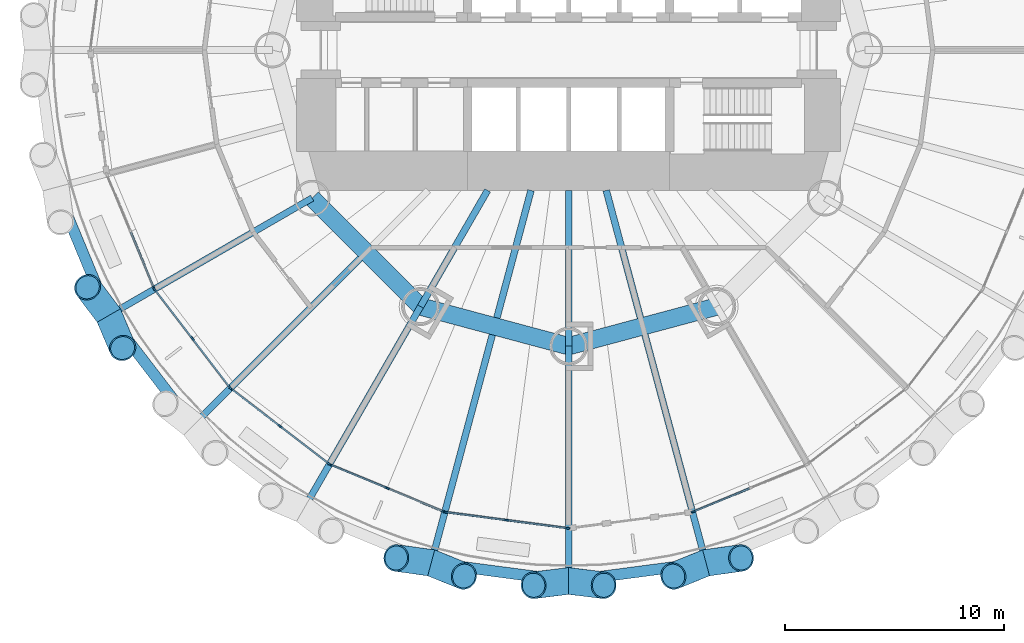
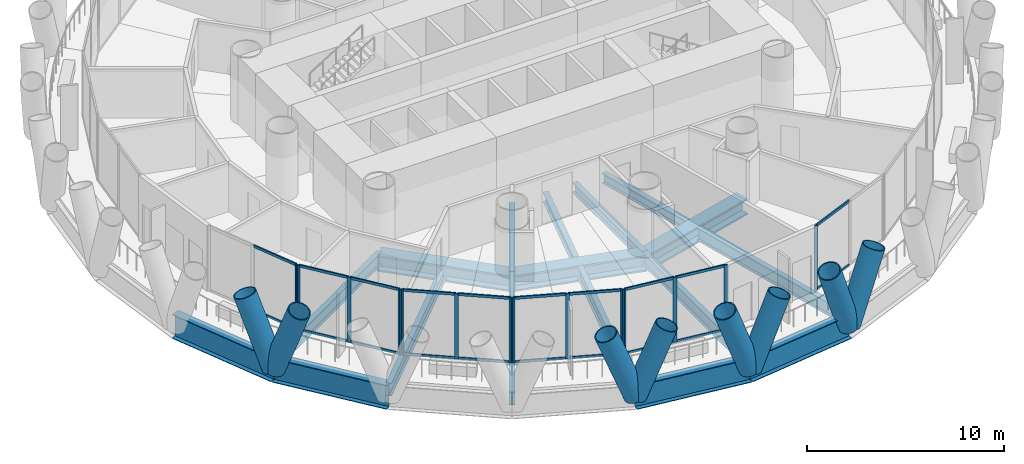
# One storey, part 2 of 16: 42 members, 17 beams, 6 elements without a shape of their own.
"""IFC4 building model written with IfcOpenShell, lengths in metres."""

import ifcopenshell
import ifcopenshell.guid

model = None  # the IFC model being written
_history = None  # IfcOwnerHistory: only IFC2X3 demands one
_inside = {}  # id of a spatial element -> (the spatial element, [elements in it])
_under = {}  # id of a project, library or spatial element -> (it, [spatial elements below it])
_declared = {}  # id of a project -> (the project, [libraries it declares])
_typed = {}  # id of a type object -> (the type object, [elements of that type])
_made_of = {}  # id of a material, layer set ... -> (it, [elements and type objects made of it])


def new_model(schema):
    """Start an empty IFC model of exactly this schema.

    Asked for "IFC4X3", IfcOpenShell would pick the latest addendum, in which some entities
    have other attributes; the version numbers below select the first issue.
    IFC2X3 requires an IfcOwnerHistory on every rooted entity: one is made here for all.
    """
    global model, _history
    if schema == "IFC4X3":
        model = ifcopenshell.file(schema_version=(4, 3, 0, 0))
    else:
        model = ifcopenshell.file(schema=schema)
    _inside.clear()
    _under.clear()
    _declared.clear()
    _typed.clear()
    _made_of.clear()
    _history = None
    if model.schema == "IFC2X3":
        org = make("IfcOrganization", Name="unknown")
        user = make(
            "IfcPersonAndOrganization",
            ThePerson=make("IfcPerson", FamilyName="unknown"),
            TheOrganization=org,
        )
        app = make(
            "IfcApplication",
            ApplicationDeveloper=org,
            Version="unknown",
            ApplicationFullName="unknown",
            ApplicationIdentifier="unknown",
        )
        _history = make(
            "IfcOwnerHistory",
            OwningUser=user,
            OwningApplication=app,
            ChangeAction="ADDED",
            CreationDate=0,
        )
    return model


def make(cls, **values):
    """One entity of the class cls with the attributes given. An attribute that is None is left unset."""
    return model.create_entity(
        cls, **{name: value for name, value in values.items() if value is not None}
    )


def rooted(cls, **values):
    """An entity with a GlobalId (a new one), such as an element, a storey or a relation."""
    return make(cls, GlobalId=ifcopenshell.guid.new(), OwnerHistory=_history, **values)


def si_unit(unit_type, name, prefix=None):
    """IfcSIUnit, for example si_unit("LENGTHUNIT", "METRE", prefix="MILLI")."""
    return make("IfcSIUnit", UnitType=unit_type, Prefix=prefix, Name=name)


def assignment(units):
    """IfcUnitAssignment: the units of a project."""
    return None if units is None else make("IfcUnitAssignment", Units=units)


def point(xyz):
    """IfcCartesianPoint."""
    return None if xyz is None else make("IfcCartesianPoint", Coordinates=xyz)


def direction(xyz):
    """IfcDirection."""
    return None if xyz is None else make("IfcDirection", DirectionRatios=xyz)


def frame(location, z_axis=None, x_axis=None):
    """IfcAxis2Placement3D, a coordinate frame: its origin and axes. An axis left out is left unset."""
    return make(
        "IfcAxis2Placement3D",
        Location=point(location),
        Axis=direction(z_axis),
        RefDirection=direction(x_axis),
    )


def frame_2d(location, x_axis=None):
    """IfcAxis2Placement2D, a coordinate frame in the plane: its origin and x axis."""
    return make(
        "IfcAxis2Placement2D", Location=point(location), RefDirection=direction(x_axis)
    )


def origin():
    """The frame at (0, 0, 0) with its axes left unset."""
    return frame((0.0, 0.0, 0.0))


def origin_2d():
    """The frame at (0, 0) in the plane with its x axis left unset."""
    return frame_2d((0.0, 0.0))


def place(relative_to, where):
    """IfcLocalPlacement: puts the frame where relative to a parent placement (None: the world)."""
    return make(
        "IfcLocalPlacement", PlacementRelTo=relative_to, RelativePlacement=where
    )


def context(
    kind, dimensions, precision=None, world=None, true_north=None, identifier=None
):
    """IfcGeometricRepresentationContext, for example the 3D "Model" context."""
    return make(
        "IfcGeometricRepresentationContext",
        ContextIdentifier=identifier,
        ContextType=kind,
        CoordinateSpaceDimension=dimensions,
        Precision=precision,
        WorldCoordinateSystem=world,
        TrueNorth=true_north,
    )


def subcontext(parent, identifier, kind, view, scale=None):
    """IfcGeometricRepresentationSubContext, for example "Body" below "Model"."""
    return make(
        "IfcGeometricRepresentationSubContext",
        ContextIdentifier=identifier,
        ContextType=kind,
        ParentContext=parent,
        TargetScale=scale,
        TargetView=view,
    )


def project(units=None, contexts=None):
    """IfcProject with its units and contexts."""
    return rooted(
        "IfcProject",
        Name="project",
        RepresentationContexts=contexts,
        UnitsInContext=assignment(units),
    )


def spatial(cls, under=None, at=None, **own):
    """A site, building, storey or space (cls), placed at a placement, below another one or the project."""
    s = rooted(cls, ObjectPlacement=at, **own)
    if under is not None:
        _under.setdefault(under.id(), (under, []))[1].append(s)
    return s


def profile(cls, at=None, kind="AREA", **sizes):
    """A parametric profile (cls). Its sizes go by their IFC names, for example OverallWidth=200.0."""
    return make(cls, ProfileType=kind, Position=at, **sizes)


def rectangle(**sizes):
    """IfcRectangleProfileDef."""
    return profile("IfcRectangleProfileDef", **sizes)


def hollow_circle(**sizes):
    """IfcCircleHollowProfileDef."""
    return profile("IfcCircleHollowProfileDef", **sizes)


def i_section(**sizes):
    """IfcIShapeProfileDef."""
    return profile("IfcIShapeProfileDef", **sizes)


def extrude(swept, where, along, depth):
    """IfcExtrudedAreaSolid: the profile swept, set in the frame where, extruded along a direction by depth."""
    return make(
        "IfcExtrudedAreaSolid",
        SweptArea=swept,
        Position=where,
        ExtrudedDirection=direction(along),
        Depth=depth,
    )


def shape(context_of_items, identifier, shape_type, items):
    """IfcShapeRepresentation: the items that make up one representation, for example the "Body"."""
    return make(
        "IfcShapeRepresentation",
        ContextOfItems=context_of_items,
        RepresentationIdentifier=identifier,
        RepresentationType=shape_type,
        Items=items,
    )


def material(Name=None, Category=None):
    """IfcMaterial."""
    return make("IfcMaterial", Name=Name, Category=Category)


def material_profile(
    of_material, cross_section, Name=None, Category=None, Priority=None
):
    """IfcMaterialProfile: a cross section and its material."""
    return make(
        "IfcMaterialProfile",
        Name=Name,
        Material=of_material,
        Profile=cross_section,
        Priority=Priority,
        Category=Category,
    )


def profile_set(profiles, Name=None, composite=None):
    """IfcMaterialProfileSet."""
    return make(
        "IfcMaterialProfileSet",
        Name=Name,
        MaterialProfiles=profiles,
        CompositeProfile=composite,
    )


def made_of(thing, what):
    """Note that an element or type object is made of a material, layer set ...; save() writes the relation."""
    if what is not None:
        _made_of.setdefault(what.id(), (what, []))[1].append(thing)
    return thing


def type_object(cls, material=None, **own):
    """A type object (cls), such as IfcWallType, which elements share."""
    return made_of(rooted(cls, **own), material)


def element(
    cls,
    number,
    at=None,
    inside=None,
    cuts=None,
    type_object=None,
    material=None,
    context=None,
    identifier="Body",
    shape_type=None,
    held_by="IfcProductDefinitionShape",
    body=None,
    shapes=None,
    **own,
):
    """One element of the class cls, such as IfcWall. Its Tag is "e" and its number.

    at: its placement. inside: the storey or other place that contains it. cuts: it is an
    opening in that element (IfcRelVoidsElement). A single representation is given by context,
    identifier, shape_type and body (its items); several are given by shapes. held_by: the class
    of the entity that holds the representations. save() writes the other relations.
    """
    e = rooted(cls, Tag="e%d" % number, ObjectPlacement=at, **own)
    if body is not None:
        shapes = [shape(context, identifier, shape_type, body)]
    if shapes is not None:
        e.Representation = make(held_by, Representations=shapes)
    if inside is not None:
        _inside.setdefault(inside.id(), (inside, []))[1].append(e)
    if cuts is not None:
        rooted(
            "IfcRelVoidsElement", RelatingBuildingElement=cuts, RelatedOpeningElement=e
        )
    if type_object is not None:
        _typed.setdefault(type_object.id(), (type_object, []))[1].append(e)
    return made_of(e, material)


def aggregate(whole, parts):
    """IfcRelAggregates: a whole, such as a stair, and the parts it consists of."""
    return rooted("IfcRelAggregates", RelatingObject=whole, RelatedObjects=parts)


def save(model, path):
    """Write the relations noted so far, then the file.

    IfcRelAggregates (storeys below a building ...), IfcRelContainedInSpatialStructure (elements
    in a storey), IfcRelDefinesByType, IfcRelAssociatesMaterial and IfcRelDeclares: one each for
    every whole, place, type object, material and project.
    """
    for whole, parts in _under.values():
        aggregate(whole, parts)
    for where, things in _inside.values():
        rooted(
            "IfcRelContainedInSpatialStructure",
            RelatedElements=things,
            RelatingStructure=where,
        )
    for kind, things in _typed.values():
        rooted("IfcRelDefinesByType", RelatedObjects=things, RelatingType=kind)
    for what, things in _made_of.values():
        rooted("IfcRelAssociatesMaterial", RelatedObjects=things, RelatingMaterial=what)
    for by, libraries in _declared.values():
        rooted("IfcRelDeclares", RelatingContext=by, RelatedDefinitions=libraries)
    model.write(path)


model = new_model("IFC4")

# Units and contexts
model_context = context("Model", 3, precision=1e-05, world=origin(), true_north=direction((0.0, 1.0)))
body_context = subcontext(model_context, "Body", "Model", "MODEL_VIEW")
ifc_project = project(units=[si_unit("LENGTHUNIT", "METRE"), si_unit("AREAUNIT", "SQUARE_METRE"), si_unit("VOLUMEUNIT", "CUBIC_METRE"), si_unit("PLANEANGLEUNIT", "RADIAN"), si_unit("MASSUNIT", "GRAM", prefix="KILO")], contexts=[model_context])

# Site, building, storey
site_placement = place(None, origin())
site = spatial("IfcSite", under=ifc_project, at=site_placement, CompositionType="ELEMENT")
building_placement = place(site_placement, origin())
building = spatial("IfcBuilding", under=site, at=building_placement, Name="Qaws Media Tower", CompositionType="ELEMENT")
storey_placement = place(building_placement, frame((0.0, 0.0, 42.800048828125)))
storey = spatial("IfcBuildingStorey", under=building, at=storey_placement, Name="L08", CompositionType="ELEMENT", Elevation=42.800048828125)

# Curtain wall, member
ifc_material_1 = material(Name="Aluminium and clear glass", Category="aluminium")
curtain_wall_type = type_object("IfcCurtainWallType", Name="Unitised curtain wall CW-A", PredefinedType="NOTDEFINED", material=ifc_material_1)
curtain_wall_1_placement = place(storey_placement, origin())
curtain_wall_1 = element("IfcCurtainWall", 1, at=curtain_wall_1_placement, inside=storey, type_object=curtain_wall_type, Name="CWA curtain wall L08-14", PredefinedType="NOTDEFINED")
ifc_material_2 = material(Name="Aluminium mullion", Category="aluminium")
ifc_material_profile_1 = material_profile(ifc_material_2, rectangle(XDim=0.080078125, YDim=0.199951171875, at=origin_2d()), Name="80x200")
ifc_profile_set_1 = profile_set([ifc_material_profile_1], Name="Aluminium mullion")
member_type_1 = type_object("IfcMemberType", Name="Curtain wall mullion 80x200", PredefinedType="MULLION", material=ifc_profile_set_1)
member_1_placement = place(storey_placement, frame((41.105224609375, 39.136962890625, 0.0), z_axis=(0.0, 0.0, 1.0), x_axis=(0.923879550311, 0.382683389393, 0.0)))
member_1 = element("IfcMember", 2, at=member_1_placement, type_object=member_type_1, Name="CWA mullion 3", PredefinedType="MULLION", context=body_context, shape_type="SweptSolid", body=[
    extrude(rectangle(XDim=0.080078125, YDim=0.199951171875, at=origin_2d()), origin(), (0.0, 0.0, 1.0), 4.0400390625),
])

# Curtain wall, members
curtain_wall_2_placement = place(storey_placement, origin())
curtain_wall_2 = element("IfcCurtainWall", 3, at=curtain_wall_2_placement, inside=storey, type_object=curtain_wall_type, Name="CWA curtain wall L08-15", PredefinedType="NOTDEFINED")
member_2_placement = place(storey_placement, frame((41.14501953125, 39.068359375, 0.0), z_axis=(0.0, 0.0, 1.0), x_axis=(0.793353349046, 0.608761417599, 0.0)))
member_2 = element("IfcMember", 4, at=member_2_placement, type_object=member_type_1, Name="CWA mullion 1", PredefinedType="MULLION", context=body_context, shape_type="SweptSolid", body=[
    extrude(rectangle(XDim=0.080078125, YDim=0.199951171875, at=origin_2d()), origin(), (0.0, 0.0, 1.0), 4.0400390625),
])
member_3_placement = place(storey_placement, frame((42.852783203125, 36.842529296875, 0.0), z_axis=(0.0, 0.0, 1.0), x_axis=(0.793353349046, 0.608761417599, 0.0)))
member_3 = element("IfcMember", 5, at=member_3_placement, type_object=member_type_1, Name="CWA mullion 2", PredefinedType="MULLION", context=body_context, shape_type="SweptSolid", body=[
    extrude(rectangle(XDim=0.080078125, YDim=0.199951171875, at=origin_2d()), origin(), (0.0, 0.0, 1.0), 4.0400390625),
])
member_4_placement = place(storey_placement, frame((44.560791015625, 34.61669921875, 0.0), z_axis=(0.0, 0.0, 1.0), x_axis=(0.793353349046, 0.608761417599, 0.0)))
member_4 = element("IfcMember", 6, at=member_4_placement, type_object=member_type_1, Name="CWA mullion 3", PredefinedType="MULLION", context=body_context, shape_type="SweptSolid", body=[
    extrude(rectangle(XDim=0.080078125, YDim=0.199951171875, at=origin_2d()), origin(), (0.0, 0.0, 1.0), 4.0400390625),
])

curtain_wall_3_placement = place(storey_placement, origin())
curtain_wall_3 = element("IfcCurtainWall", 7, at=curtain_wall_3_placement, inside=storey, type_object=curtain_wall_type, Name="CWA curtain wall L08-16", PredefinedType="NOTDEFINED")
member_5_placement = place(storey_placement, frame((44.61669921875, 34.560791015625, 0.0), z_axis=(0.0, 0.0, 1.0), x_axis=(0.608761417599, 0.793353349046, 0.0)))
member_5 = element("IfcMember", 8, at=member_5_placement, type_object=member_type_1, Name="CWA mullion 1", PredefinedType="MULLION", context=body_context, shape_type="SweptSolid", body=[
    extrude(rectangle(XDim=0.080078125, YDim=0.199951171875, at=origin_2d()), origin(), (0.0, 0.0, 1.0), 4.0400390625),
])
member_6_placement = place(storey_placement, frame((46.842529296875, 32.852783203125, 0.0), z_axis=(0.0, 0.0, 1.0), x_axis=(0.608761417599, 0.793353349046, 0.0)))
member_6 = element("IfcMember", 9, at=member_6_placement, type_object=member_type_1, Name="CWA mullion 2", PredefinedType="MULLION", context=body_context, shape_type="SweptSolid", body=[
    extrude(rectangle(XDim=0.080078125, YDim=0.199951171875, at=origin_2d()), origin(), (0.0, 0.0, 1.0), 4.0400390625),
])
member_7_placement = place(storey_placement, frame((49.068359375, 31.14501953125, 0.0), z_axis=(0.0, 0.0, 1.0), x_axis=(0.608761417599, 0.793353349046, 0.0)))
member_7 = element("IfcMember", 10, at=member_7_placement, type_object=member_type_1, Name="CWA mullion 3", PredefinedType="MULLION", context=body_context, shape_type="SweptSolid", body=[
    extrude(rectangle(XDim=0.080078125, YDim=0.199951171875, at=origin_2d()), origin(), (0.0, 0.0, 1.0), 4.0400390625),
])

curtain_wall_4_placement = place(storey_placement, origin())
curtain_wall_4 = element("IfcCurtainWall", 11, at=curtain_wall_4_placement, inside=storey, type_object=curtain_wall_type, Name="CWA curtain wall L08-17", PredefinedType="NOTDEFINED")
member_8_placement = place(storey_placement, frame((49.136962890625, 31.105224609375, 0.0), z_axis=(0.0, 0.0, 1.0), x_axis=(0.382683389393, 0.923879550311, 0.0)))
member_8 = element("IfcMember", 12, at=member_8_placement, type_object=member_type_1, Name="CWA mullion 1", PredefinedType="MULLION", context=body_context, shape_type="SweptSolid", body=[
    extrude(rectangle(XDim=0.080078125, YDim=0.199951171875, at=origin_2d()), origin(), (0.0, 0.0, 1.0), 4.0400390625),
])
member_9_placement = place(storey_placement, frame((51.728759765625, 30.03173828125, 0.0), z_axis=(0.0, 0.0, 1.0), x_axis=(0.382683389393, 0.923879550311, 0.0)))
member_9 = element("IfcMember", 13, at=member_9_placement, type_object=member_type_1, Name="CWA mullion 2", PredefinedType="MULLION", context=body_context, shape_type="SweptSolid", body=[
    extrude(rectangle(XDim=0.080078125, YDim=0.199951171875, at=origin_2d()), origin(), (0.0, 0.0, 1.0), 4.0400390625),
])
member_10_placement = place(storey_placement, frame((54.32080078125, 28.9580078125, 0.0), z_axis=(0.0, 0.0, 1.0), x_axis=(0.382683389393, 0.923879550311, 0.0)))
member_10 = element("IfcMember", 14, at=member_10_placement, type_object=member_type_1, Name="CWA mullion 3", PredefinedType="MULLION", context=body_context, shape_type="SweptSolid", body=[
    extrude(rectangle(XDim=0.080078125, YDim=0.199951171875, at=origin_2d()), origin(), (0.0, 0.0, 1.0), 4.0400390625),
])

curtain_wall_5_placement = place(storey_placement, origin())
curtain_wall_5 = element("IfcCurtainWall", 15, at=curtain_wall_5_placement, inside=storey, type_object=curtain_wall_type, Name="CWA curtain wall L08-18", PredefinedType="NOTDEFINED")
member_11_placement = place(storey_placement, frame((54.3974609375, 28.9375, 0.0), z_axis=(0.0, 0.0, 1.0), x_axis=(0.130526198657, 0.991444860526, 0.0)))
member_11 = element("IfcMember", 16, at=member_11_placement, type_object=member_type_1, Name="CWA mullion 1", PredefinedType="MULLION", context=body_context, shape_type="SweptSolid", body=[
    extrude(rectangle(XDim=0.080078125, YDim=0.199951171875, at=origin_2d()), origin(), (0.0, 0.0, 1.0), 4.0400390625),
])
member_12_placement = place(storey_placement, frame((57.178955078125, 28.5712890625, 0.0), z_axis=(0.0, 0.0, 1.0), x_axis=(0.130526198657, 0.991444860526, 0.0)))
member_12 = element("IfcMember", 17, at=member_12_placement, type_object=member_type_1, Name="CWA mullion 2", PredefinedType="MULLION", context=body_context, shape_type="SweptSolid", body=[
    extrude(rectangle(XDim=0.080078125, YDim=0.199951171875, at=origin_2d()), origin(), (0.0, 0.0, 1.0), 4.0400390625),
])
member_13_placement = place(storey_placement, frame((59.96044921875, 28.205322265625, 0.0), z_axis=(0.0, 0.0, 1.0), x_axis=(0.130526198657, 0.991444860526, 0.0)))
member_13 = element("IfcMember", 18, at=member_13_placement, type_object=member_type_1, Name="CWA mullion 3", PredefinedType="MULLION", context=body_context, shape_type="SweptSolid", body=[
    extrude(rectangle(XDim=0.080078125, YDim=0.199951171875, at=origin_2d()), origin(), (0.0, 0.0, 1.0), 4.0400390625),
])

# Curtain wall, member
curtain_wall_6_placement = place(storey_placement, origin())
curtain_wall_6 = element("IfcCurtainWall", 19, at=curtain_wall_6_placement, inside=storey, type_object=curtain_wall_type, Name="CWA curtain wall L08-20", PredefinedType="NOTDEFINED")
member_14_placement = place(storey_placement, frame((65.67919921875, 28.9580078125, 0.0), z_axis=(0.0, 0.0, 1.0), x_axis=(-0.382683389393, 0.923879550311, 0.0)))
member_14 = element("IfcMember", 20, at=member_14_placement, type_object=member_type_1, Name="CWA mullion 1", PredefinedType="MULLION", context=body_context, shape_type="SweptSolid", body=[
    extrude(rectangle(XDim=0.080078125, YDim=0.199951171875, at=origin_2d()), origin(), (0.0, 0.0, 1.0), 4.0400390625),
])

# Member
ifc_material_3 = material(Name="Aluminium transom", Category="aluminium")
ifc_material_profile_2 = material_profile(ifc_material_3, rectangle(XDim=0.080078125, YDim=0.159912109375, at=origin_2d()), Name="80x160")
ifc_profile_set_2 = profile_set([ifc_material_profile_2], Name="Aluminium transom")
member_type_2 = type_object("IfcMemberType", Name="Curtain wall transom 80x160", PredefinedType="USERDEFINED", material=ifc_profile_set_2)
member_15_placement = place(storey_placement, frame((40.047119140625, 41.69189453125, 0.0400390625), z_axis=(0.382668241498, -0.923885824628, 0.0), x_axis=(0.923885824628, 0.382668241498, 0.0)))
member_15 = element("IfcMember", 21, at=member_15_placement, type_object=member_type_2, Name="CWA transom 2.1", ObjectType="TRANSOM", PredefinedType="USERDEFINED", context=body_context, shape_type="SweptSolid", body=[
    extrude(rectangle(XDim=0.080078125, YDim=0.159912109375, at=origin_2d()), origin(), (0.0, 0.0, 1.0), 2.7255859375),
])

member_16_placement = place(storey_placement, frame((40.047119140625, 41.69189453125, 4.0), z_axis=(0.382668241498, -0.923885824628, 0.0), x_axis=(0.923885824628, 0.382668241498, 0.0)))
member_16 = element("IfcMember", 22, at=member_16_placement, type_object=member_type_2, Name="CWA transom 2.2", ObjectType="TRANSOM", PredefinedType="USERDEFINED", context=body_context, shape_type="SweptSolid", body=[
    extrude(rectangle(XDim=0.080078125, YDim=0.159912109375, at=origin_2d()), origin(), (0.0, 0.0, 1.0), 2.7255859375),
])

aggregate(curtain_wall_1, [member_1, member_15, member_16])

member_17_placement = place(storey_placement, frame((41.16943359375, 39.03662109375, 0.0400390625), z_axis=(0.608749299951, -0.793362647097, 0.0), x_axis=(0.793362647097, 0.608749299951, 0.0)))
member_17 = element("IfcMember", 23, at=member_17_placement, type_object=member_type_2, Name="CWA transom 1.1", ObjectType="TRANSOM", PredefinedType="USERDEFINED", context=body_context, shape_type="SweptSolid", body=[
    extrude(rectangle(XDim=0.080078125, YDim=0.159912109375, at=origin_2d()), origin(), (0.0, 0.0, 1.0), 2.7255859375),
])

member_18_placement = place(storey_placement, frame((41.16943359375, 39.03662109375, 4.0), z_axis=(0.608749299951, -0.793362647097, 0.0), x_axis=(0.793362647097, 0.608749299951, 0.0)))
member_18 = element("IfcMember", 24, at=member_18_placement, type_object=member_type_2, Name="CWA transom 1.2", ObjectType="TRANSOM", PredefinedType="USERDEFINED", context=body_context, shape_type="SweptSolid", body=[
    extrude(rectangle(XDim=0.080078125, YDim=0.159912109375, at=origin_2d()), origin(), (0.0, 0.0, 1.0), 2.7255859375),
])

member_19_placement = place(storey_placement, frame((42.877197265625, 36.810791015625, 0.0400390625), z_axis=(0.608749299951, -0.793362647097, 0.0), x_axis=(0.793362647097, 0.608749299951, 0.0)))
member_19 = element("IfcMember", 25, at=member_19_placement, type_object=member_type_2, Name="CWA transom 2.1", ObjectType="TRANSOM", PredefinedType="USERDEFINED", context=body_context, shape_type="SweptSolid", body=[
    extrude(rectangle(XDim=0.080078125, YDim=0.159912109375, at=origin_2d()), origin(), (0.0, 0.0, 1.0), 2.7255859375),
])

member_20_placement = place(storey_placement, frame((42.877197265625, 36.810791015625, 4.0), z_axis=(0.608749299951, -0.793362647097, 0.0), x_axis=(0.793362647097, 0.608749299951, 0.0)))
member_20 = element("IfcMember", 26, at=member_20_placement, type_object=member_type_2, Name="CWA transom 2.2", ObjectType="TRANSOM", PredefinedType="USERDEFINED", context=body_context, shape_type="SweptSolid", body=[
    extrude(rectangle(XDim=0.080078125, YDim=0.159912109375, at=origin_2d()), origin(), (0.0, 0.0, 1.0), 2.7255859375),
])

aggregate(curtain_wall_2, [member_2, member_3, member_4, member_17, member_18, member_19, member_20])

member_21_placement = place(storey_placement, frame((44.6484375, 34.536376953125, 0.0400390625), z_axis=(0.793362647097, -0.608749299951, 0.0), x_axis=(0.608749299951, 0.793362647097, 0.0)))
member_21 = element("IfcMember", 27, at=member_21_placement, type_object=member_type_2, Name="CWA transom 1.1", ObjectType="TRANSOM", PredefinedType="USERDEFINED", context=body_context, shape_type="SweptSolid", body=[
    extrude(rectangle(XDim=0.080078125, YDim=0.159912109375, at=origin_2d()), origin(), (0.0, 0.0, 1.0), 2.7255859375),
])

member_22_placement = place(storey_placement, frame((44.6484375, 34.536376953125, 4.0), z_axis=(0.793362647097, -0.608749299951, 0.0), x_axis=(0.608749299951, 0.793362647097, 0.0)))
member_22 = element("IfcMember", 28, at=member_22_placement, type_object=member_type_2, Name="CWA transom 1.2", ObjectType="TRANSOM", PredefinedType="USERDEFINED", context=body_context, shape_type="SweptSolid", body=[
    extrude(rectangle(XDim=0.080078125, YDim=0.159912109375, at=origin_2d()), origin(), (0.0, 0.0, 1.0), 2.7255859375),
])

member_23_placement = place(storey_placement, frame((46.874267578125, 32.82861328125, 0.0400390625), z_axis=(0.793362647097, -0.608749299951, 0.0), x_axis=(0.608749299951, 0.793362647097, 0.0)))
member_23 = element("IfcMember", 29, at=member_23_placement, type_object=member_type_2, Name="CWA transom 2.1", ObjectType="TRANSOM", PredefinedType="USERDEFINED", context=body_context, shape_type="SweptSolid", body=[
    extrude(rectangle(XDim=0.080078125, YDim=0.159912109375, at=origin_2d()), origin(), (0.0, 0.0, 1.0), 2.7255859375),
])

member_24_placement = place(storey_placement, frame((46.874267578125, 32.82861328125, 4.0), z_axis=(0.793362647097, -0.608749299951, 0.0), x_axis=(0.608749299951, 0.793362647097, 0.0)))
member_24 = element("IfcMember", 30, at=member_24_placement, type_object=member_type_2, Name="CWA transom 2.2", ObjectType="TRANSOM", PredefinedType="USERDEFINED", context=body_context, shape_type="SweptSolid", body=[
    extrude(rectangle(XDim=0.080078125, YDim=0.159912109375, at=origin_2d()), origin(), (0.0, 0.0, 1.0), 2.7255859375),
])

aggregate(curtain_wall_3, [member_5, member_6, member_7, member_21, member_22, member_23, member_24])

member_25_placement = place(storey_placement, frame((49.173828125, 31.090087890625, 0.0400390625), z_axis=(0.923885824628, -0.382668241498, 0.0), x_axis=(0.382668241498, 0.923885824628, 0.0)))
member_25 = element("IfcMember", 31, at=member_25_placement, type_object=member_type_2, Name="CWA transom 1.1", ObjectType="TRANSOM", PredefinedType="USERDEFINED", context=body_context, shape_type="SweptSolid", body=[
    extrude(rectangle(XDim=0.080078125, YDim=0.159912109375, at=origin_2d()), origin(), (0.0, 0.0, 1.0), 2.7255859375),
])

member_26_placement = place(storey_placement, frame((49.173828125, 31.090087890625, 4.0), z_axis=(0.923885824628, -0.382668241498, 0.0), x_axis=(0.382668241498, 0.923885824628, 0.0)))
member_26 = element("IfcMember", 32, at=member_26_placement, type_object=member_type_2, Name="CWA transom 1.2", ObjectType="TRANSOM", PredefinedType="USERDEFINED", context=body_context, shape_type="SweptSolid", body=[
    extrude(rectangle(XDim=0.080078125, YDim=0.159912109375, at=origin_2d()), origin(), (0.0, 0.0, 1.0), 2.7255859375),
])

member_27_placement = place(storey_placement, frame((51.765869140625, 30.016357421875, 0.0400390625), z_axis=(0.923885824628, -0.382668241498, 0.0), x_axis=(0.382668241498, 0.923885824628, 0.0)))
member_27 = element("IfcMember", 33, at=member_27_placement, type_object=member_type_2, Name="CWA transom 2.1", ObjectType="TRANSOM", PredefinedType="USERDEFINED", context=body_context, shape_type="SweptSolid", body=[
    extrude(rectangle(XDim=0.080078125, YDim=0.159912109375, at=origin_2d()), origin(), (0.0, 0.0, 1.0), 2.7255859375),
])

member_28_placement = place(storey_placement, frame((51.765869140625, 30.016357421875, 4.0), z_axis=(0.923885824628, -0.382668241498, 0.0), x_axis=(0.382668241498, 0.923885824628, 0.0)))
member_28 = element("IfcMember", 34, at=member_28_placement, type_object=member_type_2, Name="CWA transom 2.2", ObjectType="TRANSOM", PredefinedType="USERDEFINED", context=body_context, shape_type="SweptSolid", body=[
    extrude(rectangle(XDim=0.080078125, YDim=0.159912109375, at=origin_2d()), origin(), (0.0, 0.0, 1.0), 2.7255859375),
])

aggregate(curtain_wall_4, [member_8, member_9, member_10, member_25, member_26, member_27, member_28])

member_29_placement = place(storey_placement, frame((54.43701171875, 28.932373046875, 0.0400390625), z_axis=(0.991446366479, -0.130514759302, 0.0), x_axis=(0.130514759302, 0.991446366479, 0.0)))
member_29 = element("IfcMember", 35, at=member_29_placement, type_object=member_type_2, Name="CWA transom 1.1", ObjectType="TRANSOM", PredefinedType="USERDEFINED", context=body_context, shape_type="SweptSolid", body=[
    extrude(rectangle(XDim=0.080078125, YDim=0.159912109375, at=origin_2d()), origin(), (0.0, 0.0, 1.0), 2.725341796875),
])

member_30_placement = place(storey_placement, frame((54.43701171875, 28.932373046875, 4.0), z_axis=(0.991446366479, -0.130514759302, 0.0), x_axis=(0.130514759302, 0.991446366479, 0.0)))
member_30 = element("IfcMember", 36, at=member_30_placement, type_object=member_type_2, Name="CWA transom 1.2", ObjectType="TRANSOM", PredefinedType="USERDEFINED", context=body_context, shape_type="SweptSolid", body=[
    extrude(rectangle(XDim=0.080078125, YDim=0.159912109375, at=origin_2d()), origin(), (0.0, 0.0, 1.0), 2.725341796875),
])

member_31_placement = place(storey_placement, frame((57.218505859375, 28.566162109375, 0.0400390625), z_axis=(0.991446366479, -0.130514759302, 0.0), x_axis=(0.130514759302, 0.991446366479, 0.0)))
member_31 = element("IfcMember", 37, at=member_31_placement, type_object=member_type_2, Name="CWA transom 2.1", ObjectType="TRANSOM", PredefinedType="USERDEFINED", context=body_context, shape_type="SweptSolid", body=[
    extrude(rectangle(XDim=0.080078125, YDim=0.159912109375, at=origin_2d()), origin(), (0.0, 0.0, 1.0), 2.725341796875),
])

member_32_placement = place(storey_placement, frame((57.218505859375, 28.566162109375, 4.0), z_axis=(0.991446366479, -0.130514759302, 0.0), x_axis=(0.130514759302, 0.991446366479, 0.0)))
member_32 = element("IfcMember", 38, at=member_32_placement, type_object=member_type_2, Name="CWA transom 2.2", ObjectType="TRANSOM", PredefinedType="USERDEFINED", context=body_context, shape_type="SweptSolid", body=[
    extrude(rectangle(XDim=0.080078125, YDim=0.159912109375, at=origin_2d()), origin(), (0.0, 0.0, 1.0), 2.725341796875),
])

aggregate(curtain_wall_5, [member_11, member_12, member_13, member_29, member_30, member_31, member_32])

member_33_placement = place(storey_placement, frame((65.716064453125, 28.973388671875, 0.0400390625), z_axis=(0.923885824628, 0.382668241498, 0.0), x_axis=(-0.382668241498, 0.923885824628, 0.0)))
member_33 = element("IfcMember", 39, at=member_33_placement, type_object=member_type_2, Name="CWA transom 1.1", ObjectType="TRANSOM", PredefinedType="USERDEFINED", context=body_context, shape_type="SweptSolid", body=[
    extrude(rectangle(XDim=0.080078125, YDim=0.159912109375, at=origin_2d()), origin(), (0.0, 0.0, 1.0), 2.7255859375),
])

member_34_placement = place(storey_placement, frame((65.716064453125, 28.973388671875, 4.0), z_axis=(0.923885824628, 0.382668241498, 0.0), x_axis=(-0.382668241498, 0.923885824628, 0.0)))
member_34 = element("IfcMember", 40, at=member_34_placement, type_object=member_type_2, Name="CWA transom 1.2", ObjectType="TRANSOM", PredefinedType="USERDEFINED", context=body_context, shape_type="SweptSolid", body=[
    extrude(rectangle(XDim=0.080078125, YDim=0.159912109375, at=origin_2d()), origin(), (0.0, 0.0, 1.0), 2.7255859375),
])

aggregate(curtain_wall_6, [member_14, member_33, member_34])

# Members
ifc_material_4 = material(Name="Steel S460", Category="steel")
ifc_material_profile_3 = material_profile(ifc_material_4, hollow_circle(Radius=0.609619140625, WallThickness=0.06005859375, at=origin_2d()), Name="CHS 1219x60")
ifc_profile_set_3 = profile_set([ifc_material_profile_3], Name="Steel S460")
member_type_3 = type_object("IfcMemberType", Name="Diagrid member CHS 1219x60", PredefinedType="USERDEFINED", material=ifc_profile_set_3)
member_35_placement = place(storey_placement, frame((39.042236328125, 37.89990234375, -0.91015625), z_axis=(0.139690712906, -0.329798159412, 0.933659294805), x_axis=(0.920806143432, 0.390020571531, 0.0)))
element("IfcMember", 41, at=member_35_placement, inside=storey, type_object=member_type_3, Name="DG1 diagrid L08 A15", ObjectType="DIAGRID", PredefinedType="USERDEFINED", context=body_context, shape_type="SweptSolid", body=[
    extrude(hollow_circle(Radius=0.609619140625, WallThickness=0.06005859375, at=origin_2d()), origin(), (0.0, 0.0, 1.0), 4.49853515625),
])
member_36_placement = place(storey_placement, frame((39.042236328125, 37.89990234375, -0.91015625), z_axis=(-0.215775520253, 0.285891710436, 0.933652427172), x_axis=(-0.79817815346, -0.602421476492, 0.0)))
element("IfcMember", 42, at=member_36_placement, inside=storey, type_object=member_type_3, Name="DG1 diagrid L08 B15", ObjectType="DIAGRID", PredefinedType="USERDEFINED", context=body_context, shape_type="SweptSolid", body=[
    extrude(hollow_circle(Radius=0.609619140625, WallThickness=0.06005859375, at=origin_2d()), origin(), (0.0, 0.0, 1.0), 4.498779296875),
])
for number, where, z_axis, x_axis, name in (
    (43, (53.736572265625, 26.62451171875, -0.91015625), (0.331970024406, -0.134426965907, 0.933662301763), (0.375332249798, 0.926890339933, 0.0), "DG1 diagrid L08 A18"),
    (44, (53.736572265625, 26.62451171875, -0.91015625), (-0.354708414218, 0.049602737239, 0.933660275122), (-0.138493286786, -0.990363372463, 0.0), "DG1 diagrid L08 B18"),
):
    element("IfcMember", number, at=place(storey_placement, frame(where, z_axis=z_axis, x_axis=x_axis)), inside=storey, type_object=member_type_3, Name=name, ObjectType="DIAGRID", PredefinedType="USERDEFINED", context=body_context, shape_type="SweptSolid", body=[
        extrude(hollow_circle(Radius=0.609619140625, WallThickness=0.06005859375, at=origin_2d()), origin(), (0.0, 0.0, 1.0), 4.49853515625),
    ])
for number, where, z_axis, x_axis, name in (
    (45, (60.0, 25.800048828125, -0.91015625), (0.35546614787, -0.043958409126, 0.933654901977), (0.122729244976, 0.992440190857, 0.0), "DG1 diagrid L08 A19"),
    (46, (60.0, 25.800048828125, -0.91015625), (-0.35546614787, -0.043958409126, 0.933654901977), (0.122729244976, -0.992440190857, 0.0), "DG1 diagrid L08 B19"),
):
    element("IfcMember", number, at=place(storey_placement, frame(where, z_axis=z_axis, x_axis=x_axis)), inside=storey, type_object=member_type_3, Name=name, ObjectType="DIAGRID", PredefinedType="USERDEFINED", context=body_context, shape_type="SweptSolid", body=[
        extrude(hollow_circle(Radius=0.609619140625, WallThickness=0.06005859375, at=origin_2d()), origin(), (0.0, 0.0, 1.0), 4.498779296875),
    ])
for number, where, z_axis, x_axis, name in (
    (47, (66.263427734375, 26.62451171875, -0.91015625), (0.354708414218, 0.049602737239, 0.933660275122), (-0.138493286786, 0.990363372463, 0.0), "DG1 diagrid L08 A20"),
    (48, (66.263427734375, 26.62451171875, -0.91015625), (-0.331970024406, -0.134426965907, 0.933662301763), (0.375332249798, -0.926890339933, 0.0), "DG1 diagrid L08 B20"),
):
    element("IfcMember", number, at=place(storey_placement, frame(where, z_axis=z_axis, x_axis=x_axis)), inside=storey, type_object=member_type_3, Name=name, ObjectType="DIAGRID", PredefinedType="USERDEFINED", context=body_context, shape_type="SweptSolid", body=[
        extrude(hollow_circle(Radius=0.609619140625, WallThickness=0.06005859375, at=origin_2d()), origin(), (0.0, 0.0, 1.0), 4.49853515625),
    ])

# Beams
ifc_material_5 = material(Name="Steel S460", Category="steel")
ifc_material_profile_4 = material_profile(ifc_material_5, i_section(OverallWidth=0.5, OverallDepth=1.5, WebThickness=0.02001953125, FlangeThickness=0.0400390625, at=origin_2d()), Name="PG 1500x500")
ifc_profile_set_4 = profile_set([ifc_material_profile_4], Name="Steel S460")
beam_type_1 = type_object("IfcBeamType", Name="Edge ring beam PG 1500x500", PredefinedType="BEAM", material=ifc_profile_set_4)
beam_1_placement = place(storey_placement, frame((36.62451171875, 43.736572265625, -0.91015625), z_axis=(0.382696506463, -0.923874116934, 0.0), x_axis=(0.923874116934, 0.382696506463, 0.0)))
element("IfcBeam", 49, at=beam_1_placement, inside=storey, type_object=beam_type_1, Name="RB4 edge ring beam L08-14", PredefinedType="BEAM", context=body_context, shape_type="SweptSolid", body=[
    extrude(i_section(OverallWidth=0.5, OverallDepth=1.5, WebThickness=0.02001953125, FlangeThickness=0.0400390625, at=origin_2d()), origin(), (0.0, 0.0, 1.0), 6.317626953125),
])
for number, where, z_axis, x_axis, name in (
    (50, (39.042236328125, 37.89990234375, -0.91015625), (0.608750343575, -0.793361846321, 0.0), (0.793361846321, 0.608750343575, 0.0), "RB4 edge ring beam L08-15"),
    (51, (53.736572265625, 26.62451171875, -0.91015625), (0.991447585875, -0.130505495907, 0.0), (0.130505495907, 0.991447585875, 0.0), "RB4 edge ring beam L08-18"),
    (52, (60.0, 25.800048828125, -0.91015625), (0.991447585875, 0.130505495907, 0.0), (-0.130505495907, 0.991447585875, 0.0), "RB4 edge ring beam L08-19"),
):
    element("IfcBeam", number, at=place(storey_placement, frame(where, z_axis=z_axis, x_axis=x_axis)), inside=storey, type_object=beam_type_1, Name=name, PredefinedType="BEAM", context=body_context, shape_type="SweptSolid", body=[
        extrude(i_section(OverallWidth=0.5, OverallDepth=1.5, WebThickness=0.02001953125, FlangeThickness=0.0400390625, at=origin_2d()), origin(), (0.0, 0.0, 1.0), 6.3173828125),
    ])
ifc_material_6 = material(Name="Steel S460", Category="steel")
ifc_material_profile_5 = material_profile(ifc_material_6, i_section(OverallWidth=0.800048828125, OverallDepth=1.0, WebThickness=0.0400390625, FlangeThickness=0.10009765625, at=origin_2d()), Name="PG 1000x800")
ifc_profile_set_5 = profile_set([ifc_material_profile_5], Name="Steel S460")
beam_type_2 = type_object("IfcBeamType", Name="Inner ring girder PG 1000x800", PredefinedType="BEAM", material=ifc_profile_set_5)
beam_2_placement = place(storey_placement, frame((48.30859375, 43.25, -0.66015625), z_axis=(0.707106781187, -0.707106781187, 0.0), x_axis=(0.707106781187, 0.707106781187, 0.0)))
element("IfcBeam", 53, at=beam_2_placement, inside=storey, type_object=beam_type_2, Name="B3 inner ring beam L08 I08-I09", PredefinedType="BEAM", context=body_context, shape_type="SweptSolid", body=[
    extrude(i_section(OverallWidth=0.800048828125, OverallDepth=1.0, WebThickness=0.0400390625, FlangeThickness=0.10009765625, at=origin_2d()), origin(), (0.0, 0.0, 1.0), 6.98828125),
])
for number, where, z_axis, x_axis, name in (
    (54, (53.25, 38.30859375, -0.66015625), (0.965928090778, -0.258810593767, 0.0), (0.258810593767, 0.965928090778, 0.0), "B3 inner ring beam L08 I09-I10"),
    (55, (60.0, 36.5, -0.66015625), (0.965928090778, 0.258810593767, 0.0), (-0.258810593767, 0.965928090778, 0.0), "B3 inner ring beam L08 I10-I11"),
):
    element("IfcBeam", number, at=place(storey_placement, frame(where, z_axis=z_axis, x_axis=x_axis)), inside=storey, type_object=beam_type_2, Name=name, PredefinedType="BEAM", context=body_context, shape_type="SweptSolid", body=[
        extrude(i_section(OverallWidth=0.800048828125, OverallDepth=1.0, WebThickness=0.0400390625, FlangeThickness=0.10009765625, at=origin_2d()), origin(), (0.0, 0.0, 1.0), 6.988037109375),
    ])
ifc_material_7 = material(Name="Steel S355", Category="steel")
ifc_material_profile_6 = material_profile(ifc_material_7, i_section(OverallWidth=0.304931640625, OverallDepth=0.6201171875, WebThickness=0.02099609375, FlangeThickness=0.0400390625, FilletRadius=0.027099609375, at=origin_2d()), Name="HE 600 M")
ifc_profile_set_6 = profile_set([ifc_material_profile_6], Name="Steel S355")
beam_type_3 = type_object("IfcBeamType", Name="Radial beam HE 600 M, core side", PredefinedType="BEAM", material=ifc_profile_set_6)
beam_3_placement = place(storey_placement, frame((56.304931640625, 43.60009765625, -0.469970703125), z_axis=(-0.49998532359, -0.866033877048, 0.0), x_axis=(0.866033877048, -0.49998532359, 0.0)))
element("IfcBeam", 56, at=beam_3_placement, inside=storey, type_object=beam_type_3, Name="B2 radial beam L08 17", PredefinedType="BEAM", context=body_context, shape_type="SweptSolid", body=[
    extrude(i_section(OverallWidth=0.304931640625, OverallDepth=0.6201171875, WebThickness=0.02099609375, FlangeThickness=0.0400390625, FilletRadius=0.027099609375, at=origin_2d()), origin(), (0.0, 0.0, 1.0), 6.110107421875),
])
beam_4_placement = place(storey_placement, frame((58.28515625, 43.60009765625, -0.469970703125), z_axis=(-0.258824687089, -0.965924314506, 0.0), x_axis=(0.965924314506, -0.258824687089, 0.0)))
element("IfcBeam", 57, at=beam_4_placement, inside=storey, type_object=beam_type_3, Name="B2 radial beam L08 18", PredefinedType="BEAM", context=body_context, shape_type="SweptSolid", body=[
    extrude(i_section(OverallWidth=0.304931640625, OverallDepth=0.6201171875, WebThickness=0.02099609375, FlangeThickness=0.0400390625, FilletRadius=0.027099609375, at=origin_2d()), origin(), (0.0, 0.0, 1.0), 6.01416015625),
])
beam_5_placement = place(storey_placement, frame((60.0, 43.60009765625, -0.469970703125), z_axis=(0.0, -1.0, 0.0), x_axis=(1.0, 0.0, 0.0)))
element("IfcBeam", 58, at=beam_5_placement, inside=storey, type_object=beam_type_3, Name="B2 radial beam L08 19", PredefinedType="BEAM", context=body_context, shape_type="SweptSolid", body=[
    extrude(i_section(OverallWidth=0.304931640625, OverallDepth=0.6201171875, WebThickness=0.02099609375, FlangeThickness=0.0400390625, FilletRadius=0.027099609375, at=origin_2d()), origin(), (0.0, 0.0, 1.0), 7.10009765625),
])
beam_6_placement = place(storey_placement, frame((61.71484375, 43.60009765625, -0.469970703125), z_axis=(0.258824687089, -0.965924314506, 0.0), x_axis=(0.965924314506, 0.258824687089, 0.0)))
element("IfcBeam", 59, at=beam_6_placement, inside=storey, type_object=beam_type_3, Name="B2 radial beam L08 20", PredefinedType="BEAM", context=body_context, shape_type="SweptSolid", body=[
    extrude(i_section(OverallWidth=0.304931640625, OverallDepth=0.6201171875, WebThickness=0.02099609375, FlangeThickness=0.0400390625, FilletRadius=0.027099609375, at=origin_2d()), origin(), (0.0, 0.0, 1.0), 6.01416015625),
])
ifc_material_8 = material(Name="Steel S355", Category="steel")
ifc_material_profile_7 = material_profile(ifc_material_8, i_section(OverallWidth=0.300048828125, OverallDepth=0.800048828125, WebThickness=0.017578125, FlangeThickness=0.032958984375, FilletRadius=0.030029296875, at=origin_2d()), Name="HE 800 B")
ifc_profile_set_7 = profile_set([ifc_material_profile_7], Name="Steel S355")
beam_type_4 = type_object("IfcBeamType", Name="Radial beam HE 800 B", PredefinedType="BEAM", material=ifc_profile_set_7)
beam_7_placement = place(storey_placement, frame((48.30859375, 43.25, -0.56005859375), z_axis=(-0.866018778813, -0.500011474612, 0.0), x_axis=(0.500011474612, -0.866018778813, 0.0)))
element("IfcBeam", 60, at=beam_7_placement, inside=storey, type_object=beam_type_4, Name="B1 radial beam L08 15", PredefinedType="BEAM", context=body_context, shape_type="SweptSolid", body=[
    extrude(i_section(OverallWidth=0.300048828125, OverallDepth=0.800048828125, WebThickness=0.017578125, FlangeThickness=0.032958984375, FilletRadius=0.030029296875, at=origin_2d()), origin(), (0.0, 0.0, 1.0), 10.699951171875),
])
beam_8_placement = place(storey_placement, frame((50.49658203125, 40.49658203125, -0.56005859375), z_axis=(-0.707106781187, -0.707106781187, 0.0), x_axis=(0.707106781187, -0.707106781187, 0.0)))
element("IfcBeam", 61, at=beam_8_placement, inside=storey, type_object=beam_type_4, Name="B1 radial beam L08 16", PredefinedType="BEAM", context=body_context, shape_type="SweptSolid", body=[
    extrude(i_section(OverallWidth=0.300048828125, OverallDepth=0.800048828125, WebThickness=0.017578125, FlangeThickness=0.032958984375, FilletRadius=0.030029296875, at=origin_2d()), origin(), (0.0, 0.0, 1.0), 10.76025390625),
])
beam_9_placement = place(storey_placement, frame((53.25, 38.30859375, -0.56005859375), z_axis=(-0.500011474612, -0.866018778813, 0.0), x_axis=(0.866018778813, -0.500011474612, 0.0)))
element("IfcBeam", 62, at=beam_9_placement, inside=storey, type_object=beam_type_4, Name="B1 radial beam L08 17", PredefinedType="BEAM", context=body_context, shape_type="SweptSolid", body=[
    extrude(i_section(OverallWidth=0.300048828125, OverallDepth=0.800048828125, WebThickness=0.017578125, FlangeThickness=0.032958984375, FilletRadius=0.030029296875, at=origin_2d()), origin(), (0.0, 0.0, 1.0), 10.699951171875),
])
beam_10_placement = place(storey_placement, frame((56.521484375, 37.01806640625, -0.56005859375), z_axis=(-0.25881622915, -0.965926580817, 0.0), x_axis=(0.965926580817, -0.25881622915, 0.0)))
element("IfcBeam", 63, at=beam_10_placement, inside=storey, type_object=beam_type_4, Name="B1 radial beam L08 18", PredefinedType="BEAM", context=body_context, shape_type="SweptSolid", body=[
    extrude(i_section(OverallWidth=0.300048828125, OverallDepth=0.800048828125, WebThickness=0.017578125, FlangeThickness=0.032958984375, FilletRadius=0.030029296875, at=origin_2d()), origin(), (0.0, 0.0, 1.0), 10.76025390625),
])
beam_11_placement = place(storey_placement, frame((60.0, 36.5, -0.56005859375), z_axis=(0.0, -1.0, 0.0), x_axis=(1.0, 0.0, 0.0)))
element("IfcBeam", 64, at=beam_11_placement, inside=storey, type_object=beam_type_4, Name="B1 radial beam L08 19", PredefinedType="BEAM", context=body_context, shape_type="SweptSolid", body=[
    extrude(i_section(OverallWidth=0.300048828125, OverallDepth=0.800048828125, WebThickness=0.017578125, FlangeThickness=0.032958984375, FilletRadius=0.030029296875, at=origin_2d()), origin(), (0.0, 0.0, 1.0), 10.699951171875),
])
beam_12_placement = place(storey_placement, frame((63.478515625, 37.01806640625, -0.56005859375), z_axis=(0.25881622915, -0.965926580817, 0.0), x_axis=(0.965926580817, 0.25881622915, 0.0)))
element("IfcBeam", 65, at=beam_12_placement, inside=storey, type_object=beam_type_4, Name="B1 radial beam L08 20", PredefinedType="BEAM", context=body_context, shape_type="SweptSolid", body=[
    extrude(i_section(OverallWidth=0.300048828125, OverallDepth=0.800048828125, WebThickness=0.017578125, FlangeThickness=0.032958984375, FilletRadius=0.030029296875, at=origin_2d()), origin(), (0.0, 0.0, 1.0), 10.76025390625),
])

save(model, "model.ifc")
